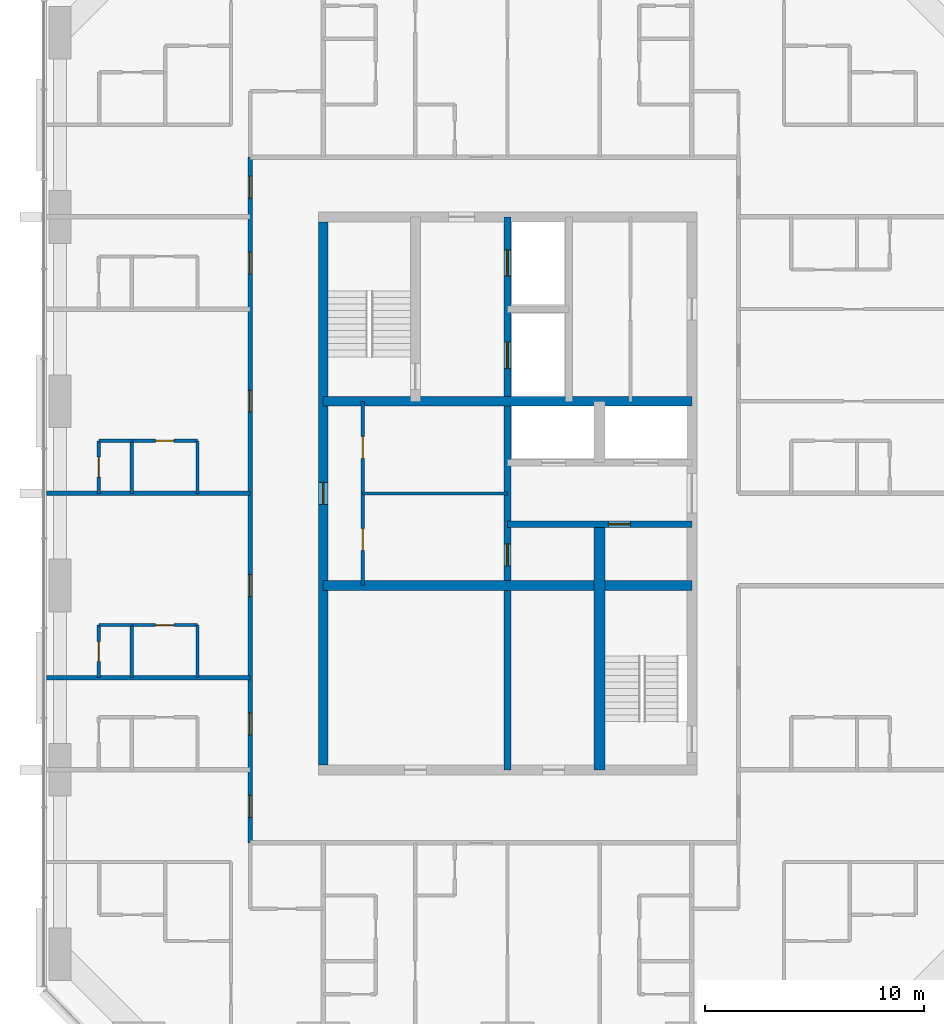
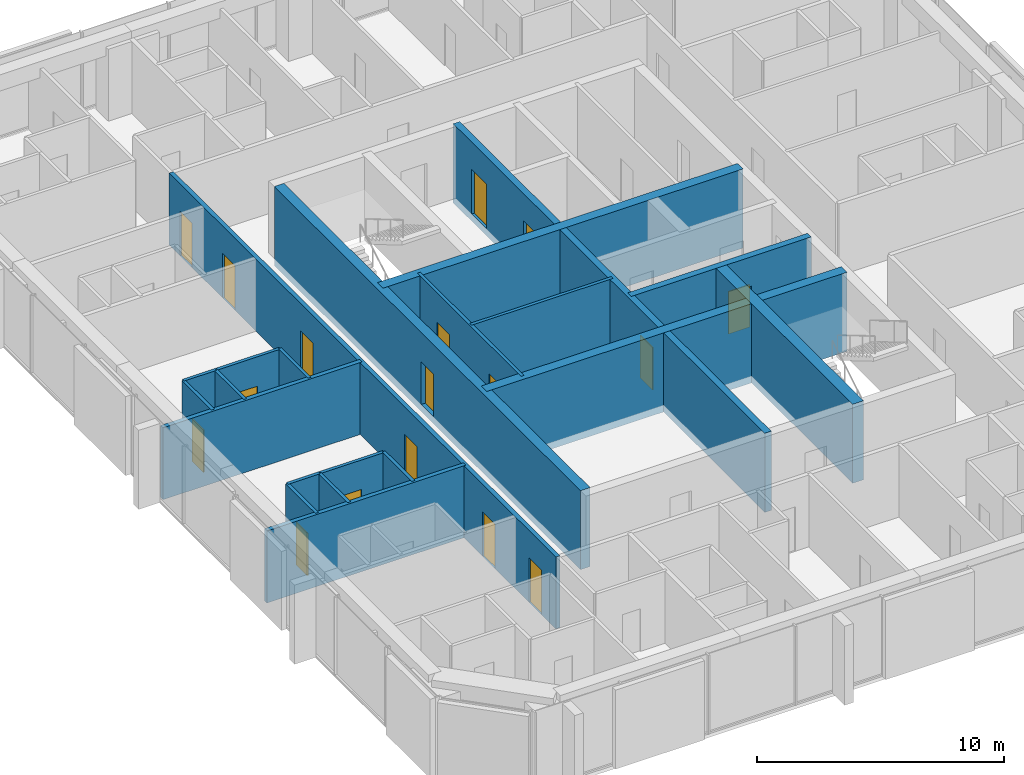
# One storey, part 8 of 13: 21 walls, 17 doors, 17 openings.
"""IFC4 building model written with IfcOpenShell, lengths in metres."""

from ifc_helpers import new_model, si_unit, direction, frame, frame_2d, origin, place, context, subcontext, project, spatial, rectangle, extrude, material, layer, layer_set, type_object, element, fill, save


model = new_model("IFC4")

# Units and contexts
model_context = context("Model", 3, precision=1e-05, world=origin(), true_north=direction((0.0, 1.0)))
body_context = subcontext(model_context, "Body", "Model", "MODEL_VIEW")
ifc_project = project(units=[si_unit("LENGTHUNIT", "METRE"), si_unit("AREAUNIT", "SQUARE_METRE"), si_unit("VOLUMEUNIT", "CUBIC_METRE"), si_unit("PLANEANGLEUNIT", "RADIAN"), si_unit("MASSUNIT", "GRAM", prefix="KILO")], contexts=[model_context])

# Site, building, storey
site_placement = place(None, origin())
site = spatial("IfcSite", under=ifc_project, at=site_placement, CompositionType="ELEMENT")
building_placement = place(site_placement, origin())
building = spatial("IfcBuilding", under=site, at=building_placement, Name="Dunama Terrace Hotel", CompositionType="ELEMENT")
storey_placement = place(building_placement, frame((0.0, 0.0, 276.300048828125)))
storey = spatial("IfcBuildingStorey", under=building, at=storey_placement, Name="L71", CompositionType="ELEMENT", Elevation=276.300048828125)

# Walls
ifc_material_1 = material(Name="Gypsum board partition", Category="masonry")
ifc_layer_1 = layer(ifc_material_1, 0.14990234375)
ifc_layer_set_1 = layer_set([ifc_layer_1], Name="Bathroom partition 150")
wall_type_1 = type_object("IfcWallType", Name="Bathroom partition 150", PredefinedType="PARTITIONING", material=ifc_layer_set_1)
wall_1_placement = place(storey_placement, frame((19.47509765625, 21.0, 0.0), z_axis=(0.0, 0.0, 1.0), x_axis=(0.0, 1.0, 0.0)))
element("IfcWall", 1, at=wall_1_placement, inside=storey, type_object=wall_type_1, Name="Bathroom partition 150 L71", PredefinedType="PARTITIONING", context=body_context, shape_type="SweptSolid", body=[
    extrude(rectangle(XDim=2.39990234375, YDim=0.14990234375, at=frame_2d((1.199951171875, 0.0))), origin(), (0.0, 0.0, 1.0), 3.550048828125),
])
wall_2_placement = place(storey_placement, frame((19.47509765625, 29.39990234375, 0.0), z_axis=(0.0, 0.0, 1.0), x_axis=(0.0, 1.0, 0.0)))
element("IfcWall", 2, at=wall_2_placement, inside=storey, type_object=wall_type_1, Name="Bathroom partition 150 L71", PredefinedType="PARTITIONING", context=body_context, shape_type="SweptSolid", body=[
    extrude(rectangle(XDim=2.400146484375, YDim=0.14990234375, at=frame_2d((1.2001953125, 0.0))), origin(), (0.0, 0.0, 1.0), 3.550048828125),
])

# Wall, opening, door
wall_3_placement = place(storey_placement, frame((16.47509765625, 23.39990234375, 0.0), z_axis=(0.0, 0.0, 1.0), x_axis=(1.0, 0.0, 0.0)))
wall_3 = element("IfcWall", 3, at=wall_3_placement, inside=storey, type_object=wall_type_1, Name="Bathroom partition 150 L71", PredefinedType="PARTITIONING", context=body_context, shape_type="SweptSolid", body=[
    extrude(rectangle(XDim=3.0, YDim=0.14990234375, at=frame_2d((1.5, 0.0))), origin(), (0.0, 0.0, 1.0), 3.550048828125),
])
opening_1_placement = place(wall_3_placement, frame((1.074951171875, 0.0, 0.0)))
opening_1 = element("IfcOpeningElement", 4, at=opening_1_placement, cuts=wall_3, Name="Opening L71-72-039", PredefinedType="OPENING", context=body_context, shape_type="SweptSolid", body=[
    extrude(rectangle(XDim=0.85009765625, YDim=2.10009765625, at=frame_2d((0.425048828125, 1.050048828125))), frame((0.0, 0.0849609375, 0.0), z_axis=(0.0, -1.0, 0.0), x_axis=(1.0, 0.0, 0.0)), (0.0, 0.0, 1.0), 0.169921875),
])
ifc_material_2 = material(Name="Timber door with steel frame", Category="steel")
door_type_1 = type_object("IfcDoorType", Name="Bathroom door 850", OperationType="SINGLE_SWING_LEFT", PredefinedType="DOOR", material=ifc_material_2)
door_1_placement = place(opening_1_placement, frame((0.85009765625, 0.0, 0.0), z_axis=(0.0, 0.0, 1.0), x_axis=(-1.0, 0.0, 0.0)))
door_1 = element("IfcDoor", 5, at=door_1_placement, inside=storey, type_object=door_type_1, Name="Door to en-suite bathroom L71-72-039, type D2", OperationType="SINGLE_SWING_RIGHT", OverallHeight=2.10009765625, OverallWidth=0.85009765625, PredefinedType="DOOR", context=body_context, shape_type="SweptSolid", body=[
    extrude(rectangle(XDim=0.85009765625, YDim=2.10009765625, at=frame_2d((0.425048828125, 1.050048828125))), frame((0.0, 0.025146484375, 0.0), z_axis=(0.0, -1.0, 0.0), x_axis=(1.0, 0.0, 0.0)), (0.0, 0.0, 1.0), 0.050048828125),
])
fill(opening_1, door_1)

wall_4_placement = place(storey_placement, frame((16.47509765625, 31.800048828125, 0.0), z_axis=(0.0, 0.0, 1.0), x_axis=(1.0, 0.0, 0.0)))
wall_4 = element("IfcWall", 6, at=wall_4_placement, inside=storey, type_object=wall_type_1, Name="Bathroom partition 150 L71", PredefinedType="PARTITIONING", context=body_context, shape_type="SweptSolid", body=[
    extrude(rectangle(XDim=3.0, YDim=0.14990234375, at=frame_2d((1.5, 0.0))), origin(), (0.0, 0.0, 1.0), 3.550048828125),
])
opening_2_placement = place(wall_4_placement, frame((1.074951171875, 0.0, 0.0)))
opening_2 = element("IfcOpeningElement", 7, at=opening_2_placement, cuts=wall_4, Name="Opening L71-72-042", PredefinedType="OPENING", context=body_context, shape_type="SweptSolid", body=[
    extrude(rectangle(XDim=0.85009765625, YDim=2.10009765625, at=frame_2d((0.425048828125, 1.050048828125))), frame((0.0, 0.0849609375, 0.0), z_axis=(0.0, -1.0, 0.0), x_axis=(1.0, 0.0, 0.0)), (0.0, 0.0, 1.0), 0.169921875),
])
door_2_placement = place(opening_2_placement, frame((0.85009765625, 0.0, 0.0), z_axis=(0.0, 0.0, 1.0), x_axis=(-1.0, 0.0, 0.0)))
door_2 = element("IfcDoor", 8, at=door_2_placement, inside=storey, type_object=door_type_1, Name="Door to en-suite bathroom L71-72-042, type D2", OperationType="SINGLE_SWING_RIGHT", OverallHeight=2.10009765625, OverallWidth=0.85009765625, PredefinedType="DOOR", context=body_context, shape_type="SweptSolid", body=[
    extrude(rectangle(XDim=0.85009765625, YDim=2.10009765625, at=frame_2d((0.425048828125, 1.050048828125))), frame((0.0, 0.025146484375, 0.0), z_axis=(0.0, -1.0, 0.0), x_axis=(1.0, 0.0, 0.0)), (0.0, 0.0, 1.0), 0.050048828125),
])
fill(opening_2, door_2)

# Wall, openings, doors
ifc_material_3 = material(Name="Concrete C50/60", Category="concrete")
ifc_layer_2 = layer(ifc_material_3, 0.300048828125)
ifc_layer_set_2 = layer_set([ifc_layer_2], Name="Core inner wall 300")
wall_type_2 = type_object("IfcWallType", Name="Core inner wall 300", PredefinedType="SHEAR", material=ifc_layer_set_2)
wall_5_placement = place(storey_placement, frame((33.60009765625, 16.800048828125, -0.35009765625), z_axis=(0.0, 0.0, 1.0), x_axis=(0.0, 1.0, 0.0)))
wall_5 = element("IfcWall", 9, at=wall_5_placement, inside=storey, type_object=wall_type_2, Name="Core inner wall 300 L71", PredefinedType="SHEAR", context=body_context, shape_type="SweptSolid", body=[
    extrude(rectangle(XDim=25.199951171875, YDim=0.300048828125, at=frame_2d((12.60009765625, 0.0))), origin(), (0.0, 0.0, 1.0), 3.900146484375),
])
opening_3_placement = place(wall_5_placement, frame((22.5, 0.0, 0.35009765625)))
opening_3 = element("IfcOpeningElement", 10, at=opening_3_placement, cuts=wall_5, Name="Opening L71-72-005", PredefinedType="OPENING", context=body_context, shape_type="SweptSolid", body=[
    extrude(rectangle(XDim=1.199951171875, YDim=2.199951171875, at=frame_2d((0.60009765625, 1.10009765625))), frame((0.0, 0.159912109375, 0.0), z_axis=(0.0, -1.0, 0.0), x_axis=(1.0, 0.0, 0.0)), (0.0, 0.0, 1.0), 0.320068359375),
])
opening_4_placement = place(wall_5_placement, frame((18.300048828125, 0.0, 0.35009765625)))
opening_4 = element("IfcOpeningElement", 11, at=opening_4_placement, cuts=wall_5, Name="Opening L71-72-006", PredefinedType="OPENING", context=body_context, shape_type="SweptSolid", body=[
    extrude(rectangle(XDim=1.199951171875, YDim=2.199951171875, at=frame_2d((0.60009765625, 1.10009765625))), frame((0.0, 0.159912109375, 0.0), z_axis=(0.0, -1.0, 0.0), x_axis=(1.0, 0.0, 0.0)), (0.0, 0.0, 1.0), 0.320068359375),
])
opening_5_placement = place(wall_5_placement, frame((9.300048828125, 0.0, 0.35009765625)))
opening_5 = element("IfcOpeningElement", 12, at=opening_5_placement, cuts=wall_5, Name="Opening L71-72-070", PredefinedType="OPENING", context=body_context, shape_type="SweptSolid", body=[
    extrude(rectangle(XDim=1.0, YDim=2.10009765625, at=frame_2d((0.5, 1.050048828125))), frame((0.0, 0.159912109375, 0.0), z_axis=(0.0, -1.0, 0.0), x_axis=(1.0, 0.0, 0.0)), (0.0, 0.0, 1.0), 0.320068359375),
])
ifc_material_4 = material(Name="Stainless steel lift door", Category="steel")
door_type_2 = type_object("IfcDoorType", Name="Firefighting lift landing door 1200", OperationType="DOUBLE_DOOR_SLIDING", PredefinedType="DOOR", material=ifc_material_4)
door_3_placement = place(opening_3_placement, origin())
door_3 = element("IfcDoor", 13, at=door_3_placement, inside=storey, type_object=door_type_2, Name="Landing door FL1 L71-72-005, type LD2", OperationType="DOUBLE_DOOR_SLIDING", OverallHeight=2.199951171875, OverallWidth=1.199951171875, PredefinedType="DOOR", context=body_context, shape_type="SweptSolid", body=[
    extrude(rectangle(XDim=1.199951171875, YDim=2.199951171875, at=frame_2d((0.60009765625, 1.10009765625))), frame((0.0, 0.02490234375, 0.0), z_axis=(0.0, -1.0, 0.0), x_axis=(1.0, 0.0, 0.0)), (0.0, 0.0, 1.0), 0.050048828125),
])
fill(opening_3, door_3)
door_4_placement = place(opening_4_placement, origin())
door_4 = element("IfcDoor", 14, at=door_4_placement, inside=storey, type_object=door_type_2, Name="Landing door FL2 L71-72-006, type LD2", OperationType="DOUBLE_DOOR_SLIDING", OverallHeight=2.199951171875, OverallWidth=1.199951171875, PredefinedType="DOOR", context=body_context, shape_type="SweptSolid", body=[
    extrude(rectangle(XDim=1.199951171875, YDim=2.199951171875, at=frame_2d((0.60009765625, 1.10009765625))), frame((0.0, 0.02490234375, 0.0), z_axis=(0.0, -1.0, 0.0), x_axis=(1.0, 0.0, 0.0)), (0.0, 0.0, 1.0), 0.050048828125),
])
fill(opening_4, door_4)
ifc_material_5 = material(Name="Timber door with steel frame", Category="steel")
door_type_3 = type_object("IfcDoorType", Name="Service door 1000", OperationType="SINGLE_SWING_LEFT", PredefinedType="DOOR", material=ifc_material_5)
door_5_placement = place(opening_5_placement, frame((1.0, 0.0, 0.0), z_axis=(0.0, 0.0, 1.0), x_axis=(-1.0, 0.0, 0.0)))
door_5 = element("IfcDoor", 15, at=door_5_placement, inside=storey, type_object=door_type_3, Name="Door to service riser L71-72-070, type D7", OperationType="SINGLE_SWING_RIGHT", OverallHeight=2.10009765625, OverallWidth=1.0, PredefinedType="DOOR", context=body_context, shape_type="SweptSolid", body=[
    extrude(rectangle(XDim=1.0, YDim=2.10009765625, at=frame_2d((0.5, 1.050048828125))), frame((0.0, 0.025146484375, 0.0), z_axis=(0.0, -1.0, 0.0), x_axis=(1.0, 0.0, 0.0)), (0.0, 0.0, 1.0), 0.050048828125),
])
fill(opening_5, door_5)

# Wall, opening, door
wall_6_placement = place(storey_placement, frame((33.60009765625, 28.0, -0.35009765625), z_axis=(0.0, 0.0, 1.0), x_axis=(1.0, 0.0, 0.0)))
wall_6 = element("IfcWall", 16, at=wall_6_placement, inside=storey, type_object=wall_type_2, Name="Core inner wall 300 L71", PredefinedType="SHEAR", context=body_context, shape_type="SweptSolid", body=[
    extrude(rectangle(XDim=8.39990234375, YDim=0.300048828125, at=frame_2d((4.199951171875, 0.0))), origin(), (0.0, 0.0, 1.0), 3.900146484375),
])
opening_6_placement = place(wall_6_placement, frame((4.60009765625, 0.0, 0.35009765625)))
opening_6 = element("IfcOpeningElement", 17, at=opening_6_placement, cuts=wall_6, Name="Opening L71-72-071", PredefinedType="OPENING", context=body_context, shape_type="SweptSolid", body=[
    extrude(rectangle(XDim=1.0, YDim=2.10009765625, at=frame_2d((0.5, 1.050048828125))), frame((0.0, 0.159912109375, 0.0), z_axis=(0.0, -1.0, 0.0), x_axis=(1.0, 0.0, 0.0)), (0.0, 0.0, 1.0), 0.320068359375),
])
door_6_placement = place(opening_6_placement, frame((1.0, 0.0, 0.0), z_axis=(0.0, 0.0, 1.0), x_axis=(-1.0, 0.0, 0.0)))
door_6 = element("IfcDoor", 18, at=door_6_placement, inside=storey, type_object=door_type_3, Name="Door to ice and vending room L71-72-071, type D7", OperationType="SINGLE_SWING_RIGHT", OverallHeight=2.10009765625, OverallWidth=1.0, PredefinedType="DOOR", context=body_context, shape_type="SweptSolid", body=[
    extrude(rectangle(XDim=1.0, YDim=2.10009765625, at=frame_2d((0.5, 1.050048828125))), frame((0.0, 0.025146484375, 0.0), z_axis=(0.0, -1.0, 0.0), x_axis=(1.0, 0.0, 0.0)), (0.0, 0.0, 1.0), 0.050048828125),
])
fill(opening_6, door_6)

# Walls
ifc_material_6 = material(Name="Concrete C50/60", Category="concrete")
ifc_layer_3 = layer(ifc_material_6, 0.449951171875)
ifc_layer_set_3 = layer_set([ifc_layer_3], Name="Core inner wall 450")
wall_type_3 = type_object("IfcWallType", Name="Core inner wall 450", PredefinedType="SHEAR", material=ifc_layer_set_3)
for number, where, z_axis, x_axis, name in (
    (19, (25.199951171875, 25.199951171875, -0.35009765625), (0.0, 0.0, 1.0), (1.0, 0.0, 0.0), "Core inner wall 450 L71"),
    (20, (25.199951171875, 33.60009765625, -0.35009765625), (0.0, 0.0, 1.0), (1.0, 0.0, 0.0), "Core inner wall 450 L71"),
):
    element("IfcWall", number, at=place(storey_placement, frame(where, z_axis=z_axis, x_axis=x_axis)), inside=storey, type_object=wall_type_3, Name=name, PredefinedType="SHEAR", context=body_context, shape_type="SweptSolid", body=[
        extrude(rectangle(XDim=16.800048828125, YDim=0.449951171875, at=frame_2d((8.39990234375, 0.0))), origin(), (0.0, 0.0, 1.0), 3.900146484375),
    ])
ifc_material_7 = material(Name="Concrete C50/60", Category="concrete")
ifc_layer_4 = layer(ifc_material_7, 0.5)
ifc_layer_set_4 = layer_set([ifc_layer_4], Name="Core inner wall 500")
wall_type_4 = type_object("IfcWallType", Name="Core inner wall 500", PredefinedType="SHEAR", material=ifc_layer_set_4)
wall_7_placement = place(storey_placement, frame((37.800048828125, 16.800048828125, -0.35009765625), z_axis=(0.0, 0.0, 1.0), x_axis=(0.0, 1.0, 0.0)))
element("IfcWall", 21, at=wall_7_placement, inside=storey, type_object=wall_type_4, Name="Core inner wall 500 L71", PredefinedType="SHEAR", context=body_context, shape_type="SweptSolid", body=[
    extrude(rectangle(XDim=11.199951171875, YDim=0.5, at=frame_2d((5.60009765625, 0.0))), origin(), (0.0, 0.0, 1.0), 3.900146484375),
])

# Wall, opening, door
ifc_material_8 = material(Name="Concrete C50/60", Category="concrete")
ifc_layer_5 = layer(ifc_material_8, 0.449951171875)
ifc_layer_set_5 = layer_set([ifc_layer_5], Name="Core wall 450")
wall_type_5 = type_object("IfcWallType", Name="Core wall 450", PredefinedType="SHEAR", material=ifc_layer_set_5)
wall_8_placement = place(storey_placement, frame((25.199951171875, 41.77490234375, -0.35009765625), z_axis=(0.0, 0.0, 1.0), x_axis=(0.0, -1.0, 0.0)))
wall_8 = element("IfcWall", 22, at=wall_8_placement, inside=storey, type_object=wall_type_5, Name="Core wall west L71", PredefinedType="SHEAR", context=body_context, shape_type="SweptSolid", body=[
    extrude(rectangle(XDim=24.75, YDim=0.449951171875, at=frame_2d((12.375, 0.0))), origin(), (0.0, 0.0, 1.0), 3.900146484375),
])
opening_7_placement = place(wall_8_placement, frame((11.875, 0.0, 0.35009765625)))
opening_7 = element("IfcOpeningElement", 23, at=opening_7_placement, cuts=wall_8, Name="Opening L71-72-067", PredefinedType="OPENING", context=body_context, shape_type="SweptSolid", body=[
    extrude(rectangle(XDim=1.0, YDim=2.10009765625, at=frame_2d((0.5, 1.050048828125))), frame((0.0, 0.23486328125, 0.0), z_axis=(0.0, -1.0, 0.0), x_axis=(1.0, 0.0, 0.0)), (0.0, 0.0, 1.0), 0.469970703125),
])
door_7_placement = place(opening_7_placement, origin())
door_7 = element("IfcDoor", 24, at=door_7_placement, inside=storey, type_object=door_type_3, Name="Door to staff passage L71-72-067, type D7", OperationType="SINGLE_SWING_LEFT", OverallHeight=2.10009765625, OverallWidth=1.0, PredefinedType="DOOR", context=body_context, shape_type="SweptSolid", body=[
    extrude(rectangle(XDim=1.0, YDim=2.10009765625, at=frame_2d((0.5, 1.050048828125))), frame((0.0, 0.02490234375, 0.0), z_axis=(0.0, -1.0, 0.0), x_axis=(1.0, 0.0, 0.0)), (0.0, 0.0, 1.0), 0.050048828125),
])
fill(opening_7, door_7)

# Wall, openings, doors
ifc_material_9 = material(Name="Concrete blockwork", Category="masonry")
ifc_layer_6 = layer(ifc_material_9, 0.199951171875)
ifc_layer_set_6 = layer_set([ifc_layer_6], Name="Corridor partition 200")
wall_type_6 = type_object("IfcWallType", Name="Corridor partition 200", PredefinedType="PARTITIONING", material=ifc_layer_set_6)
wall_9_placement = place(storey_placement, frame((21.875, 13.47509765625, 0.0), z_axis=(0.0, 0.0, 1.0), x_axis=(0.0, 1.0, 0.0)))
wall_9 = element("IfcWall", 25, at=wall_9_placement, inside=storey, type_object=wall_type_6, Name="Corridor partition 200 L71", PredefinedType="PARTITIONING", context=body_context, shape_type="SweptSolid", body=[
    extrude(rectangle(XDim=31.25, YDim=0.199951171875, at=frame_2d((15.625, 0.0))), origin(), (0.0, 0.0, 1.0), 3.550048828125),
])
opening_8_placement = place(wall_9_placement, frame((4.925048828125, 0.0, 0.0)))
opening_8 = element("IfcOpeningElement", 26, at=opening_8_placement, cuts=wall_9, Name="Opening L71-72-035", PredefinedType="OPENING", context=body_context, shape_type="SweptSolid", body=[
    extrude(rectangle(XDim=1.0, YDim=2.199951171875, at=frame_2d((0.5, 1.10009765625))), frame((0.0, 0.10986328125, 0.0), z_axis=(0.0, -1.0, 0.0), x_axis=(1.0, 0.0, 0.0)), (0.0, 0.0, 1.0), 0.219970703125),
])
opening_9_placement = place(wall_9_placement, frame((11.22509765625, 0.0, 0.0)))
opening_9 = element("IfcOpeningElement", 27, at=opening_9_placement, cuts=wall_9, Name="Opening L71-72-038", PredefinedType="OPENING", context=body_context, shape_type="SweptSolid", body=[
    extrude(rectangle(XDim=1.0, YDim=2.199951171875, at=frame_2d((0.5, 1.10009765625))), frame((0.0, 0.10986328125, 0.0), z_axis=(0.0, -1.0, 0.0), x_axis=(1.0, 0.0, 0.0)), (0.0, 0.0, 1.0), 0.219970703125),
])
opening_10_placement = place(wall_9_placement, frame((19.625, 0.0, 0.0)))
opening_10 = element("IfcOpeningElement", 28, at=opening_10_placement, cuts=wall_9, Name="Opening L71-72-041", PredefinedType="OPENING", context=body_context, shape_type="SweptSolid", body=[
    extrude(rectangle(XDim=1.0, YDim=2.199951171875, at=frame_2d((0.5, 1.10009765625))), frame((0.0, 0.10986328125, 0.0), z_axis=(0.0, -1.0, 0.0), x_axis=(1.0, 0.0, 0.0)), (0.0, 0.0, 1.0), 0.219970703125),
])
opening_11_placement = place(wall_9_placement, frame((25.925048828125, 0.0, 0.0)))
opening_11 = element("IfcOpeningElement", 29, at=opening_11_placement, cuts=wall_9, Name="Opening L71-72-044", PredefinedType="OPENING", context=body_context, shape_type="SweptSolid", body=[
    extrude(rectangle(XDim=1.0, YDim=2.199951171875, at=frame_2d((0.5, 1.10009765625))), frame((0.0, 0.10986328125, 0.0), z_axis=(0.0, -1.0, 0.0), x_axis=(1.0, 0.0, 0.0)), (0.0, 0.0, 1.0), 0.219970703125),
])
opening_12_placement = place(wall_9_placement, frame((1.162109375, 0.0, 0.0)))
opening_12 = element("IfcOpeningElement", 30, at=opening_12_placement, cuts=wall_9, Name="Opening L71-72-047", PredefinedType="OPENING", context=body_context, shape_type="SweptSolid", body=[
    extrude(rectangle(XDim=1.0, YDim=2.199951171875, at=frame_2d((0.5, 1.10009765625))), frame((0.0, 0.10986328125, 0.0), z_axis=(0.0, -1.0, 0.0), x_axis=(1.0, 0.0, 0.0)), (0.0, 0.0, 1.0), 0.219970703125),
])
opening_13_placement = place(wall_9_placement, frame((29.386962890625, 0.0, 0.0)))
opening_13 = element("IfcOpeningElement", 31, at=opening_13_placement, cuts=wall_9, Name="Opening L71-72-062", PredefinedType="OPENING", context=body_context, shape_type="SweptSolid", body=[
    extrude(rectangle(XDim=1.0, YDim=2.199951171875, at=frame_2d((0.5, 1.10009765625))), frame((0.0, 0.10986328125, 0.0), z_axis=(0.0, -1.0, 0.0), x_axis=(1.0, 0.0, 0.0)), (0.0, 0.0, 1.0), 0.219970703125),
])
ifc_material_10 = material(Name="Timber door with steel frame", Category="steel")
door_type_4 = type_object("IfcDoorType", Name="Guest room door 1000", OperationType="SINGLE_SWING_LEFT", PredefinedType="DOOR", material=ifc_material_10)
door_8_placement = place(opening_8_placement, origin())
door_8 = element("IfcDoor", 32, at=door_8_placement, inside=storey, type_object=door_type_4, Name="Door to studio suite L71-72-035, type D1", OperationType="SINGLE_SWING_LEFT", OverallHeight=2.199951171875, OverallWidth=1.0, PredefinedType="DOOR", context=body_context, shape_type="SweptSolid", body=[
    extrude(rectangle(XDim=1.0, YDim=2.199951171875, at=frame_2d((0.5, 1.10009765625))), frame((0.0, 0.02490234375, 0.0), z_axis=(0.0, -1.0, 0.0), x_axis=(1.0, 0.0, 0.0)), (0.0, 0.0, 1.0), 0.050048828125),
])
fill(opening_8, door_8)
door_9_placement = place(opening_9_placement, origin())
door_9 = element("IfcDoor", 33, at=door_9_placement, inside=storey, type_object=door_type_4, Name="Door to junior suite L71-72-038, type D1", OperationType="SINGLE_SWING_LEFT", OverallHeight=2.199951171875, OverallWidth=1.0, PredefinedType="DOOR", context=body_context, shape_type="SweptSolid", body=[
    extrude(rectangle(XDim=1.0, YDim=2.199951171875, at=frame_2d((0.5, 1.10009765625))), frame((0.0, 0.02490234375, 0.0), z_axis=(0.0, -1.0, 0.0), x_axis=(1.0, 0.0, 0.0)), (0.0, 0.0, 1.0), 0.050048828125),
])
fill(opening_9, door_9)
door_10_placement = place(opening_10_placement, origin())
door_10 = element("IfcDoor", 34, at=door_10_placement, inside=storey, type_object=door_type_4, Name="Door to junior suite L71-72-041, type D1", OperationType="SINGLE_SWING_LEFT", OverallHeight=2.199951171875, OverallWidth=1.0, PredefinedType="DOOR", context=body_context, shape_type="SweptSolid", body=[
    extrude(rectangle(XDim=1.0, YDim=2.199951171875, at=frame_2d((0.5, 1.10009765625))), frame((0.0, 0.02490234375, 0.0), z_axis=(0.0, -1.0, 0.0), x_axis=(1.0, 0.0, 0.0)), (0.0, 0.0, 1.0), 0.050048828125),
])
fill(opening_10, door_10)
door_11_placement = place(opening_11_placement, origin())
door_11 = element("IfcDoor", 35, at=door_11_placement, inside=storey, type_object=door_type_4, Name="Door to studio suite L71-72-044, type D1", OperationType="SINGLE_SWING_LEFT", OverallHeight=2.199951171875, OverallWidth=1.0, PredefinedType="DOOR", context=body_context, shape_type="SweptSolid", body=[
    extrude(rectangle(XDim=1.0, YDim=2.199951171875, at=frame_2d((0.5, 1.10009765625))), frame((0.0, 0.02490234375, 0.0), z_axis=(0.0, -1.0, 0.0), x_axis=(1.0, 0.0, 0.0)), (0.0, 0.0, 1.0), 0.050048828125),
])
fill(opening_11, door_11)
door_12_placement = place(opening_12_placement, origin())
door_12 = element("IfcDoor", 36, at=door_12_placement, inside=storey, type_object=door_type_4, Name="Door to grand corner suite living room L71-72-047, type D1", OperationType="SINGLE_SWING_LEFT", OverallHeight=2.199951171875, OverallWidth=1.0, PredefinedType="DOOR", context=body_context, shape_type="SweptSolid", body=[
    extrude(rectangle(XDim=1.0, YDim=2.199951171875, at=frame_2d((0.5, 1.10009765625))), frame((0.0, 0.02490234375, 0.0), z_axis=(0.0, -1.0, 0.0), x_axis=(1.0, 0.0, 0.0)), (0.0, 0.0, 1.0), 0.050048828125),
])
fill(opening_12, door_12)
door_13_placement = place(opening_13_placement, origin())
door_13 = element("IfcDoor", 37, at=door_13_placement, inside=storey, type_object=door_type_4, Name="Door to grand corner suite living room L71-72-062, type D1", OperationType="SINGLE_SWING_LEFT", OverallHeight=2.199951171875, OverallWidth=1.0, PredefinedType="DOOR", context=body_context, shape_type="SweptSolid", body=[
    extrude(rectangle(XDim=1.0, YDim=2.199951171875, at=frame_2d((0.5, 1.10009765625))), frame((0.0, 0.02490234375, 0.0), z_axis=(0.0, -1.0, 0.0), x_axis=(1.0, 0.0, 0.0)), (0.0, 0.0, 1.0), 0.050048828125),
])
fill(opening_13, door_13)

# Walls
ifc_material_11 = material(Name="Concrete blockwork", Category="masonry")
ifc_layer_7 = layer(ifc_material_11, 0.199951171875)
ifc_layer_set_7 = layer_set([ifc_layer_7], Name="Party wall 200")
wall_type_7 = type_object("IfcWallType", Name="Party wall 200", PredefinedType="PARTITIONING", material=ifc_layer_set_7)
for number, where, z_axis, x_axis, name in (
    (38, (12.58203125, 21.0, 0.0), (0.0, 0.0, 1.0), (1.0, 0.0, 0.0), "Party wall 200 L71"),
    (39, (12.58203125, 29.39990234375, 0.0), (0.0, 0.0, 1.0), (1.0, 0.0, 0.0), "Party wall 200 L71"),
):
    element("IfcWall", number, at=place(storey_placement, frame(where, z_axis=z_axis, x_axis=x_axis)), inside=storey, type_object=wall_type_7, Name=name, PredefinedType="PARTITIONING", context=body_context, shape_type="SweptSolid", body=[
        extrude(rectangle(XDim=9.29296875, YDim=0.199951171875, at=frame_2d((4.646484375, 0.0))), origin(), (0.0, 0.0, 1.0), 3.550048828125),
    ])

# Wall, opening, door
ifc_material_12 = material(Name="Gypsum board partition", Category="masonry")
ifc_layer_8 = layer(ifc_material_12, 0.14990234375)
ifc_layer_set_8 = layer_set([ifc_layer_8], Name="Room partition 150")
wall_type_8 = type_object("IfcWallType", Name="Room partition 150", PredefinedType="PARTITIONING", material=ifc_layer_set_8)
wall_10_placement = place(storey_placement, frame((14.97509765625, 21.0, 0.0), z_axis=(0.0, 0.0, 1.0), x_axis=(0.0, 1.0, 0.0)))
wall_10 = element("IfcWall", 40, at=wall_10_placement, inside=storey, type_object=wall_type_8, Name="Room partition 150 L71", PredefinedType="PARTITIONING", context=body_context, shape_type="SweptSolid", body=[
    extrude(rectangle(XDim=2.39990234375, YDim=0.14990234375, at=frame_2d((1.199951171875, 0.0))), origin(), (0.0, 0.0, 1.0), 3.550048828125),
])
opening_14_placement = place(wall_10_placement, frame((0.75, 0.0, 0.0)))
opening_14 = element("IfcOpeningElement", 41, at=opening_14_placement, cuts=wall_10, Name="Opening L71-72-040", PredefinedType="OPENING", context=body_context, shape_type="SweptSolid", body=[
    extrude(rectangle(XDim=0.89990234375, YDim=2.10009765625, at=frame_2d((0.449951171875, 1.050048828125))), frame((0.0, 0.0849609375, 0.0), z_axis=(0.0, -1.0, 0.0), x_axis=(1.0, 0.0, 0.0)), (0.0, 0.0, 1.0), 0.169921875),
])
ifc_material_13 = material(Name="Timber door with steel frame", Category="steel")
door_type_5 = type_object("IfcDoorType", Name="Suite internal door 900", OperationType="SINGLE_SWING_LEFT", PredefinedType="DOOR", material=ifc_material_13)
door_14_placement = place(opening_14_placement, frame((0.89990234375, 0.0, 0.0), z_axis=(0.0, 0.0, 1.0), x_axis=(-1.0, 0.0, 0.0)))
door_14 = element("IfcDoor", 42, at=door_14_placement, inside=storey, type_object=door_type_5, Name="Door to walk-in wardrobe L71-72-040, type D16", OperationType="SINGLE_SWING_RIGHT", OverallHeight=2.10009765625, OverallWidth=0.89990234375, PredefinedType="DOOR", context=body_context, shape_type="SweptSolid", body=[
    extrude(rectangle(XDim=0.89990234375, YDim=2.10009765625, at=frame_2d((0.449951171875, 1.050048828125))), frame((0.0, 0.025146484375, 0.0), z_axis=(0.0, -1.0, 0.0), x_axis=(1.0, 0.0, 0.0)), (0.0, 0.0, 1.0), 0.050048828125),
])
fill(opening_14, door_14)

wall_11_placement = place(storey_placement, frame((14.97509765625, 29.39990234375, 0.0), z_axis=(0.0, 0.0, 1.0), x_axis=(0.0, 1.0, 0.0)))
wall_11 = element("IfcWall", 43, at=wall_11_placement, inside=storey, type_object=wall_type_8, Name="Room partition 150 L71", PredefinedType="PARTITIONING", context=body_context, shape_type="SweptSolid", body=[
    extrude(rectangle(XDim=2.400146484375, YDim=0.14990234375, at=frame_2d((1.2001953125, 0.0))), origin(), (0.0, 0.0, 1.0), 3.550048828125),
])
opening_15_placement = place(wall_11_placement, frame((0.75, 0.0, 0.0)))
opening_15 = element("IfcOpeningElement", 44, at=opening_15_placement, cuts=wall_11, Name="Opening L71-72-043", PredefinedType="OPENING", context=body_context, shape_type="SweptSolid", body=[
    extrude(rectangle(XDim=0.89990234375, YDim=2.10009765625, at=frame_2d((0.449951171875, 1.050048828125))), frame((0.0, 0.0849609375, 0.0), z_axis=(0.0, -1.0, 0.0), x_axis=(1.0, 0.0, 0.0)), (0.0, 0.0, 1.0), 0.169921875),
])
door_15_placement = place(opening_15_placement, frame((0.89990234375, 0.0, 0.0), z_axis=(0.0, 0.0, 1.0), x_axis=(-1.0, 0.0, 0.0)))
door_15 = element("IfcDoor", 45, at=door_15_placement, inside=storey, type_object=door_type_5, Name="Door to walk-in wardrobe L71-72-043, type D16", OperationType="SINGLE_SWING_RIGHT", OverallHeight=2.10009765625, OverallWidth=0.89990234375, PredefinedType="DOOR", context=body_context, shape_type="SweptSolid", body=[
    extrude(rectangle(XDim=0.89990234375, YDim=2.10009765625, at=frame_2d((0.449951171875, 1.050048828125))), frame((0.0, 0.025146484375, 0.0), z_axis=(0.0, -1.0, 0.0), x_axis=(1.0, 0.0, 0.0)), (0.0, 0.0, 1.0), 0.050048828125),
])
fill(opening_15, door_15)

# Walls
wall_12_placement = place(storey_placement, frame((16.47509765625, 21.0, 0.0), z_axis=(0.0, 0.0, 1.0), x_axis=(0.0, 1.0, 0.0)))
element("IfcWall", 46, at=wall_12_placement, inside=storey, type_object=wall_type_8, Name="Room partition 150 L71", PredefinedType="PARTITIONING", context=body_context, shape_type="SweptSolid", body=[
    extrude(rectangle(XDim=2.39990234375, YDim=0.14990234375, at=frame_2d((1.199951171875, 0.0))), origin(), (0.0, 0.0, 1.0), 3.550048828125),
])
wall_13_placement = place(storey_placement, frame((16.47509765625, 29.39990234375, 0.0), z_axis=(0.0, 0.0, 1.0), x_axis=(0.0, 1.0, 0.0)))
element("IfcWall", 47, at=wall_13_placement, inside=storey, type_object=wall_type_8, Name="Room partition 150 L71", PredefinedType="PARTITIONING", context=body_context, shape_type="SweptSolid", body=[
    extrude(rectangle(XDim=2.400146484375, YDim=0.14990234375, at=frame_2d((1.2001953125, 0.0))), origin(), (0.0, 0.0, 1.0), 3.550048828125),
])

# Wall, openings, doors
wall_14_placement = place(storey_placement, frame((27.0, 25.199951171875, 0.0), z_axis=(0.0, 0.0, 1.0), x_axis=(0.0, 1.0, 0.0)))
wall_14 = element("IfcWall", 48, at=wall_14_placement, inside=storey, type_object=wall_type_8, Name="Room partition 150 L71", PredefinedType="PARTITIONING", context=body_context, shape_type="SweptSolid", body=[
    extrude(rectangle(XDim=8.400146484375, YDim=0.14990234375, at=frame_2d((4.2001953125, 0.0))), origin(), (0.0, 0.0, 1.0), 3.550048828125),
])
opening_16_placement = place(wall_14_placement, frame((1.60009765625, 0.0, 0.0)))
opening_16 = element("IfcOpeningElement", 49, at=opening_16_placement, cuts=wall_14, Name="Opening L71-72-068", PredefinedType="OPENING", context=body_context, shape_type="SweptSolid", body=[
    extrude(rectangle(XDim=1.0, YDim=2.10009765625, at=frame_2d((0.5, 1.050048828125))), frame((0.0, 0.0849609375, 0.0), z_axis=(0.0, -1.0, 0.0), x_axis=(1.0, 0.0, 0.0)), (0.0, 0.0, 1.0), 0.169921875),
])
opening_17_placement = place(wall_14_placement, frame((5.800048828125, 0.0, 0.0)))
opening_17 = element("IfcOpeningElement", 50, at=opening_17_placement, cuts=wall_14, Name="Opening L71-72-069", PredefinedType="OPENING", context=body_context, shape_type="SweptSolid", body=[
    extrude(rectangle(XDim=1.0, YDim=2.10009765625, at=frame_2d((0.5, 1.050048828125))), frame((0.0, 0.0849609375, 0.0), z_axis=(0.0, -1.0, 0.0), x_axis=(1.0, 0.0, 0.0)), (0.0, 0.0, 1.0), 0.169921875),
])
door_16_placement = place(opening_16_placement, frame((1.0, 0.0, 0.0), z_axis=(0.0, 0.0, 1.0), x_axis=(-1.0, 0.0, 0.0)))
door_16 = element("IfcDoor", 51, at=door_16_placement, inside=storey, type_object=door_type_3, Name="Door to riser room L71-72-068, type D7", OperationType="SINGLE_SWING_RIGHT", OverallHeight=2.10009765625, OverallWidth=1.0, PredefinedType="DOOR", context=body_context, shape_type="SweptSolid", body=[
    extrude(rectangle(XDim=1.0, YDim=2.10009765625, at=frame_2d((0.5, 1.050048828125))), frame((0.0, 0.025146484375, 0.0), z_axis=(0.0, -1.0, 0.0), x_axis=(1.0, 0.0, 0.0)), (0.0, 0.0, 1.0), 0.050048828125),
])
fill(opening_16, door_16)
door_17_placement = place(opening_17_placement, frame((1.0, 0.0, 0.0), z_axis=(0.0, 0.0, 1.0), x_axis=(-1.0, 0.0, 0.0)))
door_17 = element("IfcDoor", 52, at=door_17_placement, inside=storey, type_object=door_type_3, Name="Door to staff break room L71-72-069, type D7", OperationType="SINGLE_SWING_LEFT", OverallHeight=2.10009765625, OverallWidth=1.0, PredefinedType="DOOR", context=body_context, shape_type="SweptSolid", body=[
    extrude(rectangle(XDim=1.0, YDim=2.10009765625, at=frame_2d((0.5, 1.050048828125))), frame((0.0, 0.025146484375, 0.0), z_axis=(0.0, -1.0, 0.0), x_axis=(1.0, 0.0, 0.0)), (0.0, 0.0, 1.0), 0.050048828125),
])
fill(opening_17, door_17)

# Walls
wall_15_placement = place(storey_placement, frame((14.97509765625, 23.39990234375, 0.0), z_axis=(0.0, 0.0, 1.0), x_axis=(1.0, 0.0, 0.0)))
element("IfcWall", 53, at=wall_15_placement, inside=storey, type_object=wall_type_8, Name="Room partition 150 L71", PredefinedType="PARTITIONING", context=body_context, shape_type="SweptSolid", body=[
    extrude(rectangle(XDim=1.5, YDim=0.14990234375, at=frame_2d((0.75, 0.0))), origin(), (0.0, 0.0, 1.0), 3.550048828125),
])
wall_16_placement = place(storey_placement, frame((27.0, 29.39990234375, 0.0), z_axis=(0.0, 0.0, 1.0), x_axis=(1.0, 0.0, 0.0)))
element("IfcWall", 54, at=wall_16_placement, inside=storey, type_object=wall_type_8, Name="Room partition 150 L71", PredefinedType="PARTITIONING", context=body_context, shape_type="SweptSolid", body=[
    extrude(rectangle(XDim=6.60009765625, YDim=0.14990234375, at=frame_2d((3.300048828125, 0.0))), origin(), (0.0, 0.0, 1.0), 3.550048828125),
])
wall_17_placement = place(storey_placement, frame((14.97509765625, 31.800048828125, 0.0), z_axis=(0.0, 0.0, 1.0), x_axis=(1.0, 0.0, 0.0)))
element("IfcWall", 55, at=wall_17_placement, inside=storey, type_object=wall_type_8, Name="Room partition 150 L71", PredefinedType="PARTITIONING", context=body_context, shape_type="SweptSolid", body=[
    extrude(rectangle(XDim=1.5, YDim=0.14990234375, at=frame_2d((0.75, 0.0))), origin(), (0.0, 0.0, 1.0), 3.550048828125),
])

save(model, "model.ifc")
